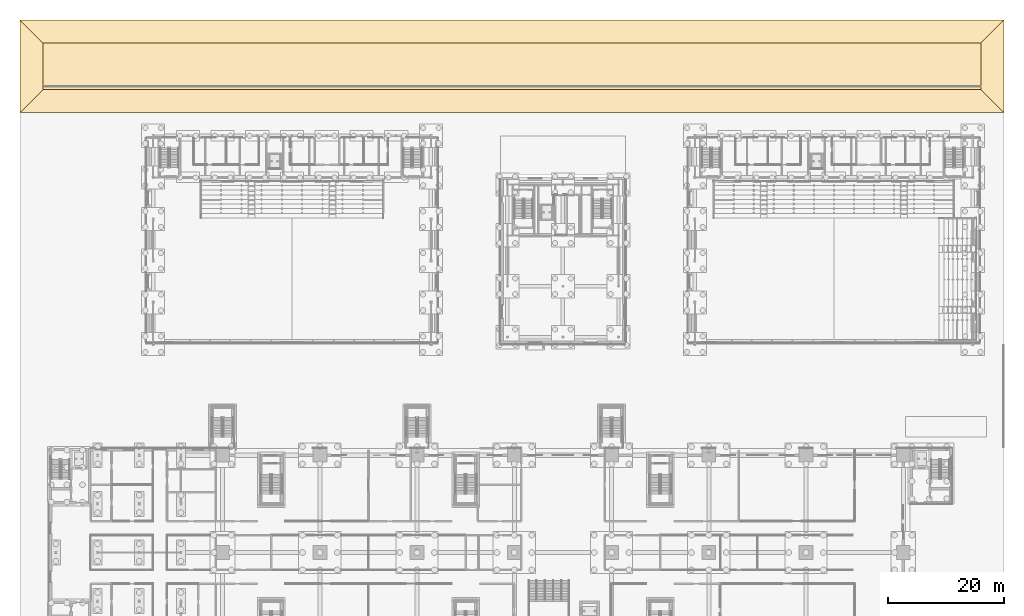
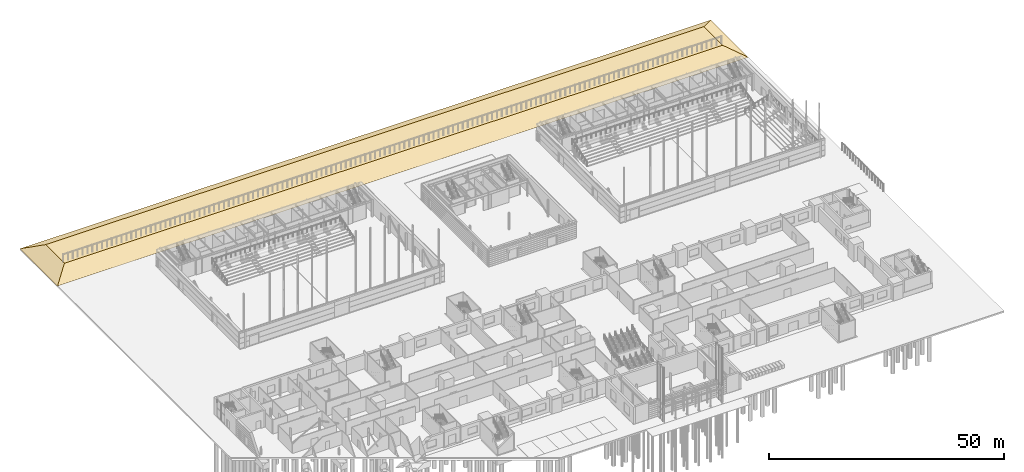
# One storey, part 138 of 139: 1 covering.
"""IFC4 building model written with IfcOpenShell, lengths in metres."""

from ifc_helpers import new_model, si_unit, direction, origin, place, context, subcontext, project, spatial, polygons, material, layer, layer_set, type_object, element, save


model = new_model("IFC4")

# Units and contexts
model_context = context("Model", 3, precision=1e-05, world=origin(), true_north=direction((0.0, 1.0)))
body_context = subcontext(model_context, "Body", "Model", "MODEL_VIEW")
ifc_project = project(units=[si_unit("LENGTHUNIT", "METRE"), si_unit("AREAUNIT", "SQUARE_METRE"), si_unit("VOLUMEUNIT", "CUBIC_METRE"), si_unit("PLANEANGLEUNIT", "RADIAN"), si_unit("MASSUNIT", "GRAM", prefix="KILO")], contexts=[model_context])

# Site, building, storey
site_placement = place(None, origin())
site = spatial("IfcSite", under=ifc_project, at=site_placement, CompositionType="ELEMENT")
building_placement = place(site_placement, origin())
building = spatial("IfcBuilding", under=site, at=building_placement, Name="Verrick Yard Athletic Hall", CompositionType="ELEMENT")
storey_placement = place(building_placement, origin())
storey = spatial("IfcBuildingStorey", under=building, at=storey_placement, Name="L00", CompositionType="ELEMENT", Elevation=0.0)

# Covering
ifc_material = material(Name="Compacted earth fill")
ifc_layer = layer(ifc_material, 0.5)
ifc_layer_set = layer_set([ifc_layer], Name="Earth berm")
covering_type = type_object("IfcCoveringType", Name="Earth berm", PredefinedType="USERDEFINED", material=ifc_layer_set)
covering_placement = place(storey_placement, origin())
element("IfcCovering", 1, at=covering_placement, inside=storey, type_object=covering_type, Name="Rail-side berm", ObjectType="BERM", PredefinedType="USERDEFINED", context=body_context, shape_type="Tessellation", body=[
    polygons([(5.0, 112.0, -0.10009765625), (175.0, 112.0, -0.10009765625), (175.0, 128.0, -0.10009765625), (5.0, 128.0, -0.10009765625), (9.0, 116.0, 2.0), (171.0, 116.0, 2.0), (171.0, 124.0, 2.0), (9.0, 124.0, 2.0)], [[[1, 3, 2]], [[1, 4, 3]], [[5, 6, 7]], [[5, 7, 8]], [[1, 2, 6]], [[1, 6, 5]], [[2, 3, 7]], [[2, 7, 6]], [[3, 4, 8]], [[3, 8, 7]], [[4, 1, 5]], [[4, 5, 8]]], closed=True),
])

save(model, "model.ifc")
